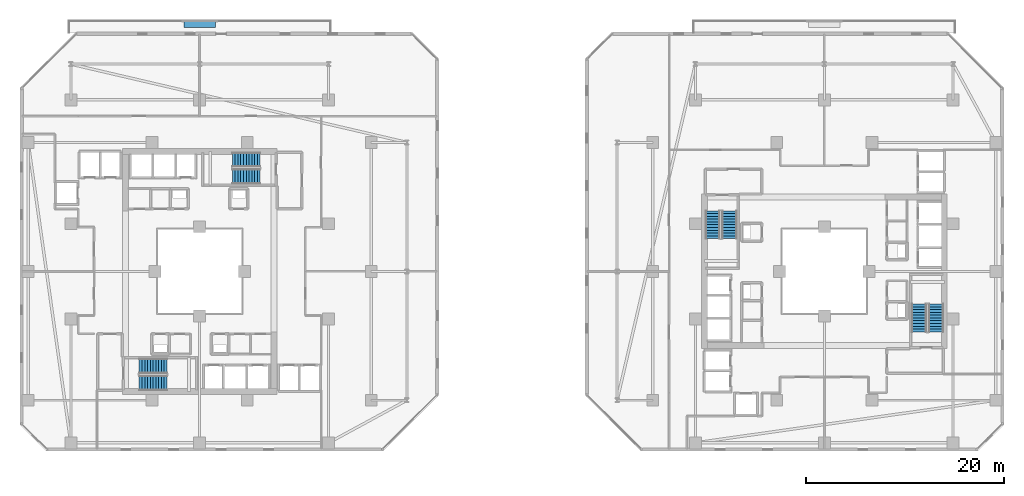
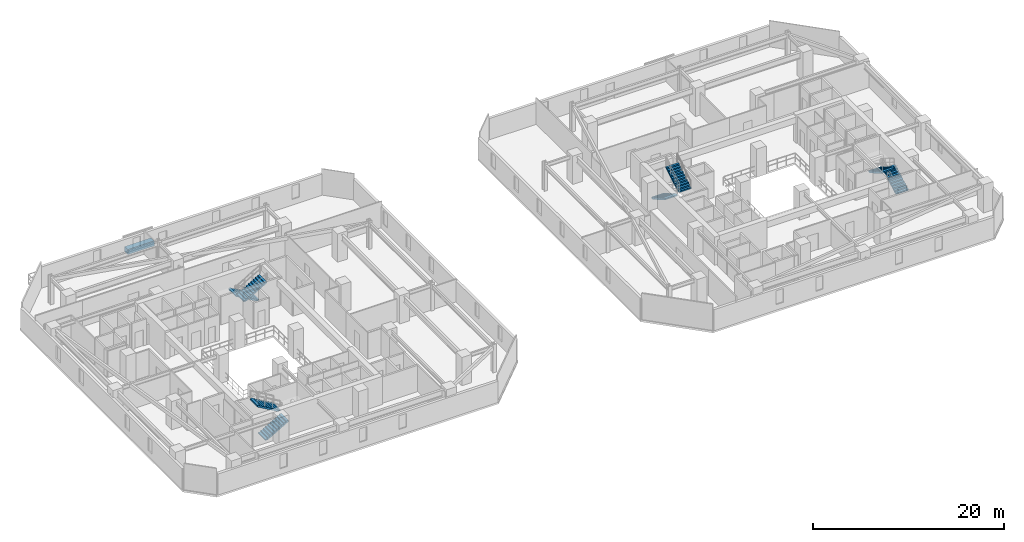
# One storey, part 23 of 29: 8 stair flights, 1 discrete accessory, 4 elements without a shape of their own.
"""IFC4 building model written with IfcOpenShell, lengths in metres."""

from ifc_helpers import new_model, si_unit, direction, frame, origin, origin_2d, place, context, subcontext, project, spatial, polyline, rectangle, outline, extrude, material, type_object, element, aggregate, save


model = new_model("IFC4")

# Units and contexts
model_context = context("Model", 3, precision=1e-05, world=origin(), true_north=direction((0.0, 1.0)))
body_context = subcontext(model_context, "Body", "Model", "MODEL_VIEW")
ifc_project = project(units=[si_unit("LENGTHUNIT", "METRE"), si_unit("AREAUNIT", "SQUARE_METRE"), si_unit("VOLUMEUNIT", "CUBIC_METRE"), si_unit("PLANEANGLEUNIT", "RADIAN"), si_unit("MASSUNIT", "GRAM", prefix="KILO")], contexts=[model_context])

# Site, building, storey
site_placement = place(None, origin())
site = spatial("IfcSite", under=ifc_project, at=site_placement, CompositionType="ELEMENT")
building_placement = place(site_placement, origin())
building = spatial("IfcBuilding", under=site, at=building_placement, Name="Thornwick Lancets Civic Towers", CompositionType="ELEMENT")
storey_placement = place(building_placement, frame((0.0, 0.0, 83.699951171875)))
storey = spatial("IfcBuildingStorey", under=building, at=storey_placement, Name="L21", CompositionType="ELEMENT", Elevation=83.699951171875)

# Stair, stair flights
ifc_material_1 = material(Name="Concrete C40/50", Category="concrete")
stair_type = type_object("IfcStairType", Name="STAIR_DL_3600", PredefinedType="HALF_TURN_STAIR", material=ifc_material_1)
stair_1_placement = place(storey_placement, origin())
stair_1 = element("IfcStair", 1, at=stair_1_placement, inside=storey, type_object=stair_type, Name="L21 Tower A South Exit Stair ST-A1", PredefinedType="HALF_TURN_STAIR")
stair_flight_type = type_object("IfcStairFlightType", Name="FLIGHT_3600", PredefinedType="STRAIGHT", material=ifc_material_1)
stair_flight_1_placement = place(storey_placement, frame((19.39990234375, 15.75, 0.0), z_axis=(0.0, 0.0, 1.0), x_axis=(1.0, 0.0, 0.0)))
stair_flight_1 = element("IfcStairFlight", 2, at=stair_flight_1_placement, type_object=stair_flight_type, Name="ST-A1 flight 1", NumberOfRisers=11, NumberOfTreads=10, PredefinedType="STRAIGHT", RiserHeight=0.163636364, TreadLength=0.28, context=body_context, shape_type="SweptSolid", body=[
    extrude(outline(polyline([(0.0, 0.0), (0.0, 0.16357421875), (0.280029296875, 0.16357421875), (0.280029296875, 0.327392578125), (0.56005859375, 0.327392578125), (0.56005859375, 0.490966796875), (0.840087890625, 0.490966796875), (0.840087890625, 0.654541015625), (1.1201171875, 0.654541015625), (1.1201171875, 0.818115234375), (1.39990234375, 0.818115234375), (1.39990234375, 0.98193359375), (1.679931640625, 0.98193359375), (1.679931640625, 1.1455078125), (1.9599609375, 1.1455078125), (1.9599609375, 1.30908203125), (2.239990234375, 1.30908203125), (2.239990234375, 1.47265625), (2.52001953125, 1.47265625), (2.52001953125, 1.636474609375), (2.800048828125, 1.636474609375), (2.800048828125, 1.800048828125), (2.800048828125, 1.462646484375), (0.297119140625, 0.0), (0.0, 0.0)])), frame((0.0, 0.75, 0.0), z_axis=(0.0, -1.0, 0.0), x_axis=(1.0, 0.0, 0.0)), (0.0, 0.0, 1.0), 1.5),
])
stair_flight_2_placement = place(storey_placement, frame((22.199951171875, 17.449951171875, 1.800048828125), z_axis=(0.0, 0.0, 1.0), x_axis=(-1.0, 0.0, 0.0)))
stair_flight_2 = element("IfcStairFlight", 3, at=stair_flight_2_placement, type_object=stair_flight_type, Name="ST-A1 flight 2", NumberOfRisers=11, NumberOfTreads=10, PredefinedType="STRAIGHT", RiserHeight=0.163636364, TreadLength=0.28, context=body_context, shape_type="SweptSolid", body=[
    extrude(outline(polyline([(0.0, 0.0), (0.0, 0.16357421875), (0.280029296875, 0.16357421875), (0.280029296875, 0.327392578125), (0.56005859375, 0.327392578125), (0.56005859375, 0.490966796875), (0.840087890625, 0.490966796875), (0.840087890625, 0.654541015625), (1.1201171875, 0.654541015625), (1.1201171875, 0.818115234375), (1.39990234375, 0.818115234375), (1.39990234375, 0.98193359375), (1.679931640625, 0.98193359375), (1.679931640625, 1.1455078125), (1.9599609375, 1.1455078125), (1.9599609375, 1.30908203125), (2.239990234375, 1.30908203125), (2.239990234375, 1.47265625), (2.52001953125, 1.47265625), (2.52001953125, 1.636474609375), (2.800048828125, 1.636474609375), (2.800048828125, 1.800048828125), (2.800048828125, 1.462646484375), (0.297119140625, 0.0), (0.0, 0.0)])), frame((0.0, 0.75, 0.0), z_axis=(0.0, -1.0, 0.0), x_axis=(1.0, 0.0, 0.0)), (0.0, 0.0, 1.0), 1.5),
])
aggregate(stair_1, [stair_flight_1, stair_flight_2])

stair_2_placement = place(storey_placement, origin())
stair_2 = element("IfcStair", 4, at=stair_2_placement, inside=storey, type_object=stair_type, Name="L21 Tower A North Exit Stair ST-A2", PredefinedType="HALF_TURN_STAIR")
stair_flight_3_placement = place(storey_placement, frame((31.60009765625, 38.25, 0.0), z_axis=(0.0, 0.0, 1.0), x_axis=(-1.0, 0.0, 0.0)))
stair_flight_3 = element("IfcStairFlight", 5, at=stair_flight_3_placement, type_object=stair_flight_type, Name="ST-A2 flight 1", NumberOfRisers=11, NumberOfTreads=10, PredefinedType="STRAIGHT", RiserHeight=0.163636364, TreadLength=0.28, context=body_context, shape_type="SweptSolid", body=[
    extrude(outline(polyline([(0.0, 0.0), (0.0, 0.16357421875), (0.280029296875, 0.16357421875), (0.280029296875, 0.327392578125), (0.56005859375, 0.327392578125), (0.56005859375, 0.490966796875), (0.840087890625, 0.490966796875), (0.840087890625, 0.654541015625), (1.1201171875, 0.654541015625), (1.1201171875, 0.818115234375), (1.39990234375, 0.818115234375), (1.39990234375, 0.98193359375), (1.679931640625, 0.98193359375), (1.679931640625, 1.1455078125), (1.9599609375, 1.1455078125), (1.9599609375, 1.30908203125), (2.239990234375, 1.30908203125), (2.239990234375, 1.47265625), (2.52001953125, 1.47265625), (2.52001953125, 1.636474609375), (2.800048828125, 1.636474609375), (2.800048828125, 1.800048828125), (2.800048828125, 1.462646484375), (0.297119140625, 0.0), (0.0, 0.0)])), frame((0.0, 0.75, 0.0), z_axis=(0.0, -1.0, 0.0), x_axis=(1.0, 0.0, 0.0)), (0.0, 0.0, 1.0), 1.5),
])
stair_flight_4_placement = place(storey_placement, frame((28.800048828125, 36.550048828125, 1.800048828125), z_axis=(0.0, 0.0, 1.0), x_axis=(1.0, 0.0, 0.0)))
stair_flight_4 = element("IfcStairFlight", 6, at=stair_flight_4_placement, type_object=stair_flight_type, Name="ST-A2 flight 2", NumberOfRisers=11, NumberOfTreads=10, PredefinedType="STRAIGHT", RiserHeight=0.163636364, TreadLength=0.28, context=body_context, shape_type="SweptSolid", body=[
    extrude(outline(polyline([(0.0, 0.0), (0.0, 0.16357421875), (0.280029296875, 0.16357421875), (0.280029296875, 0.327392578125), (0.56005859375, 0.327392578125), (0.56005859375, 0.490966796875), (0.840087890625, 0.490966796875), (0.840087890625, 0.654541015625), (1.1201171875, 0.654541015625), (1.1201171875, 0.818115234375), (1.39990234375, 0.818115234375), (1.39990234375, 0.98193359375), (1.679931640625, 0.98193359375), (1.679931640625, 1.1455078125), (1.9599609375, 1.1455078125), (1.9599609375, 1.30908203125), (2.239990234375, 1.30908203125), (2.239990234375, 1.47265625), (2.52001953125, 1.47265625), (2.52001953125, 1.636474609375), (2.800048828125, 1.636474609375), (2.800048828125, 1.800048828125), (2.800048828125, 1.462646484375), (0.297119140625, 0.0), (0.0, 0.0)])), frame((0.0, 0.75, 0.0), z_axis=(0.0, -1.0, 0.0), x_axis=(1.0, 0.0, 0.0)), (0.0, 0.0, 1.0), 1.5),
])
aggregate(stair_2, [stair_flight_3, stair_flight_4])

stair_3_placement = place(storey_placement, origin())
stair_3 = element("IfcStair", 7, at=stair_3_placement, inside=storey, type_object=stair_type, Name="L21 Tower B East Exit Stair ST-B1", PredefinedType="HALF_TURN_STAIR")
stair_flight_5_placement = place(storey_placement, frame((99.75, 20.89990234375, 0.0), z_axis=(0.0, 0.0, 1.0), x_axis=(0.0, 1.0, 0.0)))
stair_flight_5 = element("IfcStairFlight", 8, at=stair_flight_5_placement, type_object=stair_flight_type, Name="ST-B1 flight 1", NumberOfRisers=11, NumberOfTreads=10, PredefinedType="STRAIGHT", RiserHeight=0.163636364, TreadLength=0.28, context=body_context, shape_type="SweptSolid", body=[
    extrude(outline(polyline([(0.0, 0.0), (0.0, 0.16357421875), (0.280029296875, 0.16357421875), (0.280029296875, 0.327392578125), (0.56005859375, 0.327392578125), (0.56005859375, 0.490966796875), (0.840087890625, 0.490966796875), (0.840087890625, 0.654541015625), (1.1201171875, 0.654541015625), (1.1201171875, 0.818115234375), (1.39990234375, 0.818115234375), (1.39990234375, 0.98193359375), (1.679931640625, 0.98193359375), (1.679931640625, 1.1455078125), (1.9599609375, 1.1455078125), (1.9599609375, 1.30908203125), (2.239990234375, 1.30908203125), (2.239990234375, 1.47265625), (2.52001953125, 1.47265625), (2.52001953125, 1.636474609375), (2.800048828125, 1.636474609375), (2.800048828125, 1.800048828125), (2.800048828125, 1.462646484375), (0.297119140625, 0.0), (0.0, 0.0)])), frame((0.0, 0.75, 0.0), z_axis=(0.0, -1.0, 0.0), x_axis=(1.0, 0.0, 0.0)), (0.0, 0.0, 1.0), 1.5),
])
stair_flight_6_placement = place(storey_placement, frame((98.050048828125, 23.699951171875, 1.800048828125), z_axis=(0.0, 0.0, 1.0), x_axis=(0.0, -1.0, 0.0)))
stair_flight_6 = element("IfcStairFlight", 9, at=stair_flight_6_placement, type_object=stair_flight_type, Name="ST-B1 flight 2", NumberOfRisers=11, NumberOfTreads=10, PredefinedType="STRAIGHT", RiserHeight=0.163636364, TreadLength=0.28, context=body_context, shape_type="SweptSolid", body=[
    extrude(outline(polyline([(0.0, 0.0), (0.0, 0.16357421875), (0.280029296875, 0.16357421875), (0.280029296875, 0.327392578125), (0.56005859375, 0.327392578125), (0.56005859375, 0.490966796875), (0.840087890625, 0.490966796875), (0.840087890625, 0.654541015625), (1.1201171875, 0.654541015625), (1.1201171875, 0.818115234375), (1.39990234375, 0.818115234375), (1.39990234375, 0.98193359375), (1.679931640625, 0.98193359375), (1.679931640625, 1.1455078125), (1.9599609375, 1.1455078125), (1.9599609375, 1.30908203125), (2.239990234375, 1.30908203125), (2.239990234375, 1.47265625), (2.52001953125, 1.47265625), (2.52001953125, 1.636474609375), (2.800048828125, 1.636474609375), (2.800048828125, 1.800048828125), (2.800048828125, 1.462646484375), (0.297119140625, 0.0), (0.0, 0.0)])), frame((0.0, 0.75, 0.0), z_axis=(0.0, -1.0, 0.0), x_axis=(1.0, 0.0, 0.0)), (0.0, 0.0, 1.0), 1.5),
])
aggregate(stair_3, [stair_flight_5, stair_flight_6])

stair_4_placement = place(storey_placement, origin())
stair_4 = element("IfcStair", 10, at=stair_4_placement, inside=storey, type_object=stair_type, Name="L21 Tower B West Exit Stair ST-B2", PredefinedType="HALF_TURN_STAIR")
stair_flight_7_placement = place(storey_placement, frame((77.25, 33.10009765625, 0.0), z_axis=(0.0, 0.0, 1.0), x_axis=(0.0, -1.0, 0.0)))
stair_flight_7 = element("IfcStairFlight", 11, at=stair_flight_7_placement, type_object=stair_flight_type, Name="ST-B2 flight 1", NumberOfRisers=11, NumberOfTreads=10, PredefinedType="STRAIGHT", RiserHeight=0.163636364, TreadLength=0.28, context=body_context, shape_type="SweptSolid", body=[
    extrude(outline(polyline([(0.0, 0.0), (0.0, 0.16357421875), (0.280029296875, 0.16357421875), (0.280029296875, 0.327392578125), (0.56005859375, 0.327392578125), (0.56005859375, 0.490966796875), (0.840087890625, 0.490966796875), (0.840087890625, 0.654541015625), (1.1201171875, 0.654541015625), (1.1201171875, 0.818115234375), (1.39990234375, 0.818115234375), (1.39990234375, 0.98193359375), (1.679931640625, 0.98193359375), (1.679931640625, 1.1455078125), (1.9599609375, 1.1455078125), (1.9599609375, 1.30908203125), (2.239990234375, 1.30908203125), (2.239990234375, 1.47265625), (2.52001953125, 1.47265625), (2.52001953125, 1.636474609375), (2.800048828125, 1.636474609375), (2.800048828125, 1.800048828125), (2.800048828125, 1.462646484375), (0.297119140625, 0.0), (0.0, 0.0)])), frame((0.0, 0.75, 0.0), z_axis=(0.0, -1.0, 0.0), x_axis=(1.0, 0.0, 0.0)), (0.0, 0.0, 1.0), 1.5),
])
stair_flight_8_placement = place(storey_placement, frame((78.949951171875, 30.300048828125, 1.800048828125), z_axis=(0.0, 0.0, 1.0), x_axis=(0.0, 1.0, 0.0)))
stair_flight_8 = element("IfcStairFlight", 12, at=stair_flight_8_placement, type_object=stair_flight_type, Name="ST-B2 flight 2", NumberOfRisers=11, NumberOfTreads=10, PredefinedType="STRAIGHT", RiserHeight=0.163636364, TreadLength=0.28, context=body_context, shape_type="SweptSolid", body=[
    extrude(outline(polyline([(0.0, 0.0), (0.0, 0.16357421875), (0.280029296875, 0.16357421875), (0.280029296875, 0.327392578125), (0.56005859375, 0.327392578125), (0.56005859375, 0.490966796875), (0.840087890625, 0.490966796875), (0.840087890625, 0.654541015625), (1.1201171875, 0.654541015625), (1.1201171875, 0.818115234375), (1.39990234375, 0.818115234375), (1.39990234375, 0.98193359375), (1.679931640625, 0.98193359375), (1.679931640625, 1.1455078125), (1.9599609375, 1.1455078125), (1.9599609375, 1.30908203125), (2.239990234375, 1.30908203125), (2.239990234375, 1.47265625), (2.52001953125, 1.47265625), (2.52001953125, 1.636474609375), (2.800048828125, 1.636474609375), (2.800048828125, 1.800048828125), (2.800048828125, 1.462646484375), (0.297119140625, 0.0), (0.0, 0.0)])), frame((0.0, 0.75, 0.0), z_axis=(0.0, -1.0, 0.0), x_axis=(1.0, 0.0, 0.0)), (0.0, 0.0, 1.0), 1.5),
])
aggregate(stair_4, [stair_flight_7, stair_flight_8])

# Discrete accessory
ifc_material_2 = material(Name="Planted terracotta greenery planter", Category="masonry")
discrete_accessory_type = type_object("IfcDiscreteAccessoryType", Name="ACC_PLANTER_BOX", PredefinedType="USERDEFINED", material=ifc_material_2)
discrete_accessory_placement = place(storey_placement, frame((25.5, 51.89990234375, 0.0), z_axis=(0.0, 0.0, 1.0), x_axis=(1.0, 0.0, 0.0)))
element("IfcDiscreteAccessory", 13, at=discrete_accessory_placement, inside=storey, type_object=discrete_accessory_type, Name="L21 Tower A Balcony Greenery Planter N", ObjectType="PLANTER", PredefinedType="USERDEFINED", context=body_context, shape_type="SweptSolid", body=[
    extrude(rectangle(XDim=3.199951171875, YDim=0.64990234375, at=origin_2d()), origin(), (0.0, 0.0, 1.0), 0.64990234375),
])

save(model, "model.ifc")
